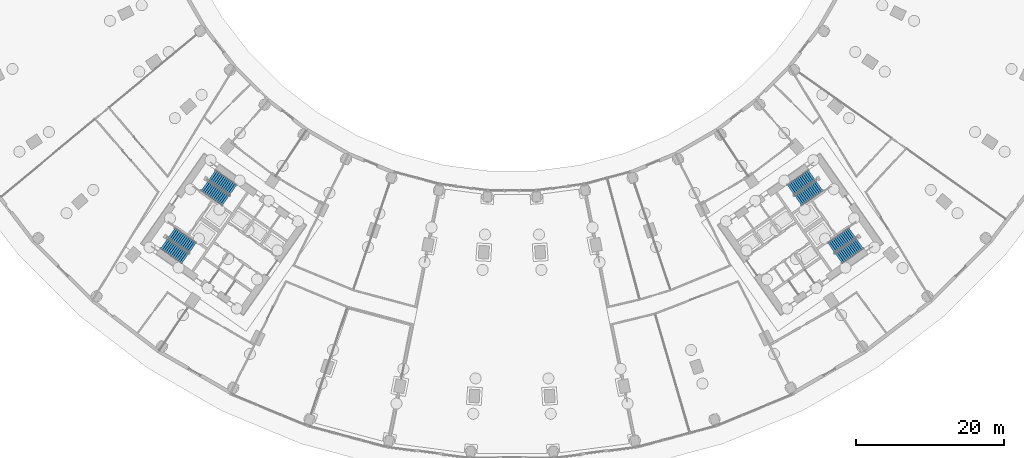
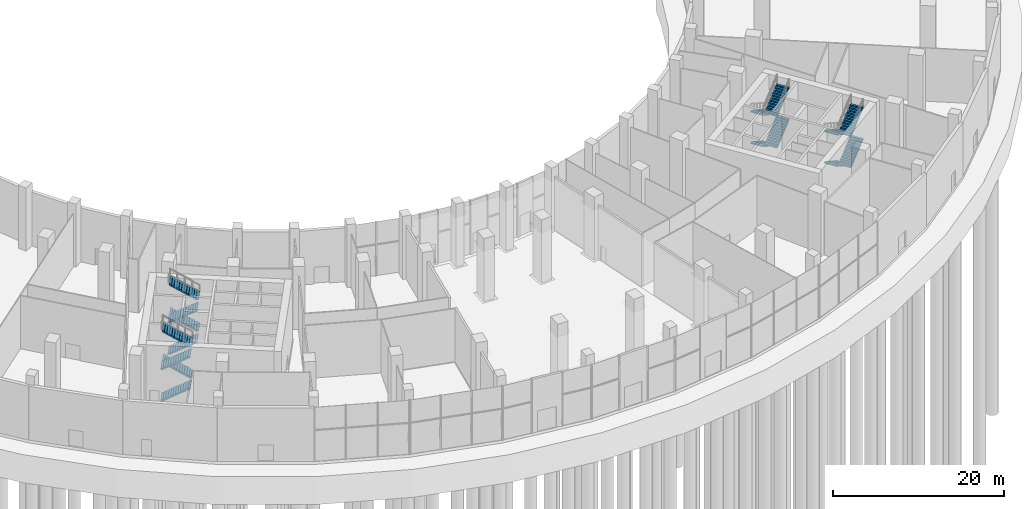
# One storey, part 13 of 23: 16 stair flights, 4 elements without a shape of their own.
"""IFC4 building model written with IfcOpenShell, lengths in metres."""

from ifc_helpers import new_model, si_unit, direction, frame, origin, place, context, subcontext, project, spatial, polyline, outline, extrude, material, type_object, element, aggregate, save


model = new_model("IFC4")

# Units and contexts
model_context = context("Model", 3, precision=1e-05, world=origin(), true_north=direction((0.0, 1.0)))
body_context = subcontext(model_context, "Body", "Model", "MODEL_VIEW")
ifc_project = project(units=[si_unit("LENGTHUNIT", "METRE"), si_unit("AREAUNIT", "SQUARE_METRE"), si_unit("VOLUMEUNIT", "CUBIC_METRE"), si_unit("PLANEANGLEUNIT", "RADIAN"), si_unit("MASSUNIT", "GRAM", prefix="KILO")], contexts=[model_context])

# Site, building, storey
site_placement = place(None, origin())
site = spatial("IfcSite", under=ifc_project, at=site_placement, CompositionType="ELEMENT")
building_placement = place(site_placement, origin())
building = spatial("IfcBuilding", under=site, at=building_placement, Name="Qamariyya Broadcast Tower", CompositionType="ELEMENT")
storey_placement = place(building_placement, origin())
storey = spatial("IfcBuildingStorey", under=building, at=storey_placement, Name="L00", CompositionType="ELEMENT", Elevation=0.0)

# Stair, stair flights
ifc_material = material(Name="Concrete C50/60", Category="concrete")
stair_type = type_object("IfcStairType", Name="Exit stair 52 risers of 173 mm", PredefinedType="HALF_TURN_STAIR", material=ifc_material)
stair_1_placement = place(storey_placement, origin())
stair_1 = element("IfcStair", 1, at=stair_1_placement, inside=storey, type_object=stair_type, Name="L00 Stair W2", PredefinedType="HALF_TURN_STAIR")
stair_flight_type = type_object("IfcStairFlightType", Name="Exit stair flight 13 risers of 173 mm", PredefinedType="STRAIGHT", material=ifc_material)
stair_flight_1_placement = place(storey_placement, frame((-41.59130859375, -49.15966796875, 0.0), z_axis=(0.0, 0.0, 1.0), x_axis=(0.819152044289, -0.573576436351, 0.0)))
stair_flight_1 = element("IfcStairFlight", 2, at=stair_flight_1_placement, type_object=stair_flight_type, Name="ST-W2 flight 1", NumberOfRisers=13, NumberOfTreads=12, PredefinedType="STRAIGHT", RiserHeight=0.173076923, TreadLength=0.29, context=body_context, shape_type="SweptSolid", body=[
    extrude(outline(polyline([(0.0, 0.0), (0.0, 0.173095703125), (0.2900390625, 0.173095703125), (0.2900390625, 0.34619140625), (0.580078125, 0.34619140625), (0.580078125, 0.519287109375), (0.8701171875, 0.519287109375), (0.8701171875, 0.6923828125), (1.159912109375, 0.6923828125), (1.159912109375, 0.865478515625), (1.449951171875, 0.865478515625), (1.449951171875, 1.03857421875), (1.739990234375, 1.03857421875), (1.739990234375, 1.21142578125), (2.030029296875, 1.21142578125), (2.030029296875, 1.384521484375), (2.320068359375, 1.384521484375), (2.320068359375, 1.5576171875), (2.610107421875, 1.5576171875), (2.610107421875, 1.730712890625), (2.89990234375, 1.730712890625), (2.89990234375, 1.90380859375), (3.18994140625, 1.90380859375), (3.18994140625, 2.076904296875), (3.47998046875, 2.076904296875), (3.47998046875, 2.25), (3.47998046875, 1.90234375), (0.29248046875, 0.0), (0.0, 0.0)])), frame((0.0, 0.824951171875, 0.0), z_axis=(0.0, -1.0, 0.0), x_axis=(1.0, 0.0, 0.0)), (0.0, 0.0, 1.0), 1.64990234375),
])
stair_flight_2_placement = place(storey_placement, frame((-37.7080078125, -49.681396484375, 2.25), z_axis=(0.0, 0.0, 1.0), x_axis=(-0.819152044289, 0.573576436351, 0.0)))
stair_flight_2 = element("IfcStairFlight", 3, at=stair_flight_2_placement, type_object=stair_flight_type, Name="ST-W2 flight 2", NumberOfRisers=13, NumberOfTreads=12, PredefinedType="STRAIGHT", RiserHeight=0.173076923, TreadLength=0.29, context=body_context, shape_type="SweptSolid", body=[
    extrude(outline(polyline([(0.0, 0.0), (0.0, 0.173095703125), (0.2900390625, 0.173095703125), (0.2900390625, 0.34619140625), (0.580078125, 0.34619140625), (0.580078125, 0.519287109375), (0.8701171875, 0.519287109375), (0.8701171875, 0.6923828125), (1.159912109375, 0.6923828125), (1.159912109375, 0.865478515625), (1.449951171875, 0.865478515625), (1.449951171875, 1.03857421875), (1.739990234375, 1.03857421875), (1.739990234375, 1.21142578125), (2.030029296875, 1.21142578125), (2.030029296875, 1.384521484375), (2.320068359375, 1.384521484375), (2.320068359375, 1.5576171875), (2.610107421875, 1.5576171875), (2.610107421875, 1.730712890625), (2.89990234375, 1.730712890625), (2.89990234375, 1.90380859375), (3.18994140625, 1.90380859375), (3.18994140625, 2.076904296875), (3.47998046875, 2.076904296875), (3.47998046875, 2.25), (3.47998046875, 1.90234375), (0.29248046875, 0.0), (0.0, 0.0)])), frame((0.0, 0.824951171875, 0.0), z_axis=(0.0, -1.0, 0.0), x_axis=(1.0, 0.0, 0.0)), (0.0, 0.0, 1.0), 1.64990234375),
])
stair_flight_3_placement = place(storey_placement, frame((-41.59130859375, -49.15966796875, 4.5), z_axis=(0.0, 0.0, 1.0), x_axis=(0.819152044289, -0.573576436351, 0.0)))
stair_flight_3 = element("IfcStairFlight", 4, at=stair_flight_3_placement, type_object=stair_flight_type, Name="ST-W2 flight 3", NumberOfRisers=13, NumberOfTreads=12, PredefinedType="STRAIGHT", RiserHeight=0.173076923, TreadLength=0.29, context=body_context, shape_type="SweptSolid", body=[
    extrude(outline(polyline([(0.0, 0.0), (0.0, 0.173095703125), (0.2900390625, 0.173095703125), (0.2900390625, 0.34619140625), (0.580078125, 0.34619140625), (0.580078125, 0.519287109375), (0.8701171875, 0.519287109375), (0.8701171875, 0.6923828125), (1.159912109375, 0.6923828125), (1.159912109375, 0.865478515625), (1.449951171875, 0.865478515625), (1.449951171875, 1.03857421875), (1.739990234375, 1.03857421875), (1.739990234375, 1.21142578125), (2.030029296875, 1.21142578125), (2.030029296875, 1.384521484375), (2.320068359375, 1.384521484375), (2.320068359375, 1.5576171875), (2.610107421875, 1.5576171875), (2.610107421875, 1.730712890625), (2.89990234375, 1.730712890625), (2.89990234375, 1.90380859375), (3.18994140625, 1.90380859375), (3.18994140625, 2.076904296875), (3.47998046875, 2.076904296875), (3.47998046875, 2.25), (3.47998046875, 1.90234375), (0.29248046875, 0.0), (0.0, 0.0)])), frame((0.0, 0.824951171875, 0.0), z_axis=(0.0, -1.0, 0.0), x_axis=(1.0, 0.0, 0.0)), (0.0, 0.0, 1.0), 1.64990234375),
])
stair_flight_4_placement = place(storey_placement, frame((-37.7080078125, -49.681396484375, 6.75), z_axis=(0.0, 0.0, 1.0), x_axis=(-0.819152044289, 0.573576436351, 0.0)))
stair_flight_4 = element("IfcStairFlight", 5, at=stair_flight_4_placement, type_object=stair_flight_type, Name="ST-W2 flight 4", NumberOfRisers=13, NumberOfTreads=12, PredefinedType="STRAIGHT", RiserHeight=0.173076923, TreadLength=0.29, context=body_context, shape_type="SweptSolid", body=[
    extrude(outline(polyline([(0.0, 0.0), (0.0, 0.173095703125), (0.2900390625, 0.173095703125), (0.2900390625, 0.34619140625), (0.580078125, 0.34619140625), (0.580078125, 0.519287109375), (0.8701171875, 0.519287109375), (0.8701171875, 0.6923828125), (1.159912109375, 0.6923828125), (1.159912109375, 0.865478515625), (1.449951171875, 0.865478515625), (1.449951171875, 1.03857421875), (1.739990234375, 1.03857421875), (1.739990234375, 1.21142578125), (2.030029296875, 1.21142578125), (2.030029296875, 1.384521484375), (2.320068359375, 1.384521484375), (2.320068359375, 1.5576171875), (2.610107421875, 1.5576171875), (2.610107421875, 1.730712890625), (2.89990234375, 1.730712890625), (2.89990234375, 1.90380859375), (3.18994140625, 1.90380859375), (3.18994140625, 2.076904296875), (3.47998046875, 2.076904296875), (3.47998046875, 2.25), (3.47998046875, 1.90234375), (0.29248046875, 0.0), (0.0, 0.0)])), frame((0.0, 0.824951171875, 0.0), z_axis=(0.0, -1.0, 0.0), x_axis=(1.0, 0.0, 0.0)), (0.0, 0.0, 1.0), 1.64990234375),
])
aggregate(stair_1, [stair_flight_1, stair_flight_2, stair_flight_3, stair_flight_4])

stair_2_placement = place(storey_placement, origin())
stair_2 = element("IfcStair", 6, at=stair_2_placement, inside=storey, type_object=stair_type, Name="L00 Stair W1", PredefinedType="HALF_TURN_STAIR")
stair_flight_5_placement = place(storey_placement, frame((-47.06884765625, -56.982666015625, 0.0), z_axis=(0.0, 0.0, 1.0), x_axis=(0.819152044289, -0.573576436351, 0.0)))
stair_flight_5 = element("IfcStairFlight", 7, at=stair_flight_5_placement, type_object=stair_flight_type, Name="ST-W1 flight 1", NumberOfRisers=13, NumberOfTreads=12, PredefinedType="STRAIGHT", RiserHeight=0.173076923, TreadLength=0.29, context=body_context, shape_type="SweptSolid", body=[
    extrude(outline(polyline([(0.0, 0.0), (0.0, 0.173095703125), (0.2900390625, 0.173095703125), (0.2900390625, 0.34619140625), (0.580078125, 0.34619140625), (0.580078125, 0.519287109375), (0.8701171875, 0.519287109375), (0.8701171875, 0.6923828125), (1.159912109375, 0.6923828125), (1.159912109375, 0.865478515625), (1.449951171875, 0.865478515625), (1.449951171875, 1.03857421875), (1.739990234375, 1.03857421875), (1.739990234375, 1.21142578125), (2.030029296875, 1.21142578125), (2.030029296875, 1.384521484375), (2.320068359375, 1.384521484375), (2.320068359375, 1.5576171875), (2.610107421875, 1.5576171875), (2.610107421875, 1.730712890625), (2.89990234375, 1.730712890625), (2.89990234375, 1.90380859375), (3.18994140625, 1.90380859375), (3.18994140625, 2.076904296875), (3.47998046875, 2.076904296875), (3.47998046875, 2.25), (3.47998046875, 1.90234375), (0.29248046875, 0.0), (0.0, 0.0)])), frame((0.0, 0.824951171875, 0.0), z_axis=(0.0, -1.0, 0.0), x_axis=(1.0, 0.0, 0.0)), (0.0, 0.0, 1.0), 1.64990234375),
])
stair_flight_6_placement = place(storey_placement, frame((-43.185791015625, -57.504150390625, 2.25), z_axis=(0.0, 0.0, 1.0), x_axis=(-0.819152044289, 0.573576436351, 0.0)))
stair_flight_6 = element("IfcStairFlight", 8, at=stair_flight_6_placement, type_object=stair_flight_type, Name="ST-W1 flight 2", NumberOfRisers=13, NumberOfTreads=12, PredefinedType="STRAIGHT", RiserHeight=0.173076923, TreadLength=0.29, context=body_context, shape_type="SweptSolid", body=[
    extrude(outline(polyline([(0.0, 0.0), (0.0, 0.173095703125), (0.2900390625, 0.173095703125), (0.2900390625, 0.34619140625), (0.580078125, 0.34619140625), (0.580078125, 0.519287109375), (0.8701171875, 0.519287109375), (0.8701171875, 0.6923828125), (1.159912109375, 0.6923828125), (1.159912109375, 0.865478515625), (1.449951171875, 0.865478515625), (1.449951171875, 1.03857421875), (1.739990234375, 1.03857421875), (1.739990234375, 1.21142578125), (2.030029296875, 1.21142578125), (2.030029296875, 1.384521484375), (2.320068359375, 1.384521484375), (2.320068359375, 1.5576171875), (2.610107421875, 1.5576171875), (2.610107421875, 1.730712890625), (2.89990234375, 1.730712890625), (2.89990234375, 1.90380859375), (3.18994140625, 1.90380859375), (3.18994140625, 2.076904296875), (3.47998046875, 2.076904296875), (3.47998046875, 2.25), (3.47998046875, 1.90234375), (0.29248046875, 0.0), (0.0, 0.0)])), frame((0.0, 0.824951171875, 0.0), z_axis=(0.0, -1.0, 0.0), x_axis=(1.0, 0.0, 0.0)), (0.0, 0.0, 1.0), 1.64990234375),
])
stair_flight_7_placement = place(storey_placement, frame((-47.06884765625, -56.982666015625, 4.5), z_axis=(0.0, 0.0, 1.0), x_axis=(0.819152044289, -0.573576436351, 0.0)))
stair_flight_7 = element("IfcStairFlight", 9, at=stair_flight_7_placement, type_object=stair_flight_type, Name="ST-W1 flight 3", NumberOfRisers=13, NumberOfTreads=12, PredefinedType="STRAIGHT", RiserHeight=0.173076923, TreadLength=0.29, context=body_context, shape_type="SweptSolid", body=[
    extrude(outline(polyline([(0.0, 0.0), (0.0, 0.173095703125), (0.2900390625, 0.173095703125), (0.2900390625, 0.34619140625), (0.580078125, 0.34619140625), (0.580078125, 0.519287109375), (0.8701171875, 0.519287109375), (0.8701171875, 0.6923828125), (1.159912109375, 0.6923828125), (1.159912109375, 0.865478515625), (1.449951171875, 0.865478515625), (1.449951171875, 1.03857421875), (1.739990234375, 1.03857421875), (1.739990234375, 1.21142578125), (2.030029296875, 1.21142578125), (2.030029296875, 1.384521484375), (2.320068359375, 1.384521484375), (2.320068359375, 1.5576171875), (2.610107421875, 1.5576171875), (2.610107421875, 1.730712890625), (2.89990234375, 1.730712890625), (2.89990234375, 1.90380859375), (3.18994140625, 1.90380859375), (3.18994140625, 2.076904296875), (3.47998046875, 2.076904296875), (3.47998046875, 2.25), (3.47998046875, 1.90234375), (0.29248046875, 0.0), (0.0, 0.0)])), frame((0.0, 0.824951171875, 0.0), z_axis=(0.0, -1.0, 0.0), x_axis=(1.0, 0.0, 0.0)), (0.0, 0.0, 1.0), 1.64990234375),
])
stair_flight_8_placement = place(storey_placement, frame((-43.185791015625, -57.504150390625, 6.75), z_axis=(0.0, 0.0, 1.0), x_axis=(-0.819152044289, 0.573576436351, 0.0)))
stair_flight_8 = element("IfcStairFlight", 10, at=stair_flight_8_placement, type_object=stair_flight_type, Name="ST-W1 flight 4", NumberOfRisers=13, NumberOfTreads=12, PredefinedType="STRAIGHT", RiserHeight=0.173076923, TreadLength=0.29, context=body_context, shape_type="SweptSolid", body=[
    extrude(outline(polyline([(0.0, 0.0), (0.0, 0.173095703125), (0.2900390625, 0.173095703125), (0.2900390625, 0.34619140625), (0.580078125, 0.34619140625), (0.580078125, 0.519287109375), (0.8701171875, 0.519287109375), (0.8701171875, 0.6923828125), (1.159912109375, 0.6923828125), (1.159912109375, 0.865478515625), (1.449951171875, 0.865478515625), (1.449951171875, 1.03857421875), (1.739990234375, 1.03857421875), (1.739990234375, 1.21142578125), (2.030029296875, 1.21142578125), (2.030029296875, 1.384521484375), (2.320068359375, 1.384521484375), (2.320068359375, 1.5576171875), (2.610107421875, 1.5576171875), (2.610107421875, 1.730712890625), (2.89990234375, 1.730712890625), (2.89990234375, 1.90380859375), (3.18994140625, 1.90380859375), (3.18994140625, 2.076904296875), (3.47998046875, 2.076904296875), (3.47998046875, 2.25), (3.47998046875, 1.90234375), (0.29248046875, 0.0), (0.0, 0.0)])), frame((0.0, 0.824951171875, 0.0), z_axis=(0.0, -1.0, 0.0), x_axis=(1.0, 0.0, 0.0)), (0.0, 0.0, 1.0), 1.64990234375),
])
aggregate(stair_2, [stair_flight_5, stair_flight_6, stair_flight_7, stair_flight_8])

stair_3_placement = place(storey_placement, origin())
stair_3 = element("IfcStair", 11, at=stair_3_placement, inside=storey, type_object=stair_type, Name="L00 Stair E2", PredefinedType="HALF_TURN_STAIR")
stair_flight_9_placement = place(storey_placement, frame((40.558837890625, -47.685302734375, 0.0), z_axis=(0.0, 0.0, 1.0), x_axis=(-0.819152044289, -0.573576436351, 0.0)))
stair_flight_9 = element("IfcStairFlight", 12, at=stair_flight_9_placement, type_object=stair_flight_type, Name="ST-E2 flight 1", NumberOfRisers=13, NumberOfTreads=12, PredefinedType="STRAIGHT", RiserHeight=0.173076923, TreadLength=0.29, context=body_context, shape_type="SweptSolid", body=[
    extrude(outline(polyline([(0.0, 0.0), (0.0, 0.173095703125), (0.2900390625, 0.173095703125), (0.2900390625, 0.34619140625), (0.580078125, 0.34619140625), (0.580078125, 0.519287109375), (0.8701171875, 0.519287109375), (0.8701171875, 0.6923828125), (1.159912109375, 0.6923828125), (1.159912109375, 0.865478515625), (1.449951171875, 0.865478515625), (1.449951171875, 1.03857421875), (1.739990234375, 1.03857421875), (1.739990234375, 1.21142578125), (2.030029296875, 1.21142578125), (2.030029296875, 1.384521484375), (2.320068359375, 1.384521484375), (2.320068359375, 1.5576171875), (2.610107421875, 1.5576171875), (2.610107421875, 1.730712890625), (2.89990234375, 1.730712890625), (2.89990234375, 1.90380859375), (3.18994140625, 1.90380859375), (3.18994140625, 2.076904296875), (3.47998046875, 2.076904296875), (3.47998046875, 2.25), (3.47998046875, 1.90234375), (0.29248046875, 0.0), (0.0, 0.0)])), frame((0.0, 0.824951171875, 0.0), z_axis=(0.0, -1.0, 0.0), x_axis=(1.0, 0.0, 0.0)), (0.0, 0.0, 1.0), 1.64990234375),
])
stair_flight_10_placement = place(storey_placement, frame((38.740478515625, -51.15576171875, 2.25), z_axis=(0.0, 0.0, 1.0), x_axis=(0.819152044289, 0.573576436351, 0.0)))
stair_flight_10 = element("IfcStairFlight", 13, at=stair_flight_10_placement, type_object=stair_flight_type, Name="ST-E2 flight 2", NumberOfRisers=13, NumberOfTreads=12, PredefinedType="STRAIGHT", RiserHeight=0.173076923, TreadLength=0.29, context=body_context, shape_type="SweptSolid", body=[
    extrude(outline(polyline([(0.0, 0.0), (0.0, 0.173095703125), (0.2900390625, 0.173095703125), (0.2900390625, 0.34619140625), (0.580078125, 0.34619140625), (0.580078125, 0.519287109375), (0.8701171875, 0.519287109375), (0.8701171875, 0.6923828125), (1.159912109375, 0.6923828125), (1.159912109375, 0.865478515625), (1.449951171875, 0.865478515625), (1.449951171875, 1.03857421875), (1.739990234375, 1.03857421875), (1.739990234375, 1.21142578125), (2.030029296875, 1.21142578125), (2.030029296875, 1.384521484375), (2.320068359375, 1.384521484375), (2.320068359375, 1.5576171875), (2.610107421875, 1.5576171875), (2.610107421875, 1.730712890625), (2.89990234375, 1.730712890625), (2.89990234375, 1.90380859375), (3.18994140625, 1.90380859375), (3.18994140625, 2.076904296875), (3.47998046875, 2.076904296875), (3.47998046875, 2.25), (3.47998046875, 1.90234375), (0.29248046875, 0.0), (0.0, 0.0)])), frame((0.0, 0.824951171875, 0.0), z_axis=(0.0, -1.0, 0.0), x_axis=(1.0, 0.0, 0.0)), (0.0, 0.0, 1.0), 1.64990234375),
])
stair_flight_11_placement = place(storey_placement, frame((40.558837890625, -47.685302734375, 4.5), z_axis=(0.0, 0.0, 1.0), x_axis=(-0.819152044289, -0.573576436351, 0.0)))
stair_flight_11 = element("IfcStairFlight", 14, at=stair_flight_11_placement, type_object=stair_flight_type, Name="ST-E2 flight 3", NumberOfRisers=13, NumberOfTreads=12, PredefinedType="STRAIGHT", RiserHeight=0.173076923, TreadLength=0.29, context=body_context, shape_type="SweptSolid", body=[
    extrude(outline(polyline([(0.0, 0.0), (0.0, 0.173095703125), (0.2900390625, 0.173095703125), (0.2900390625, 0.34619140625), (0.580078125, 0.34619140625), (0.580078125, 0.519287109375), (0.8701171875, 0.519287109375), (0.8701171875, 0.6923828125), (1.159912109375, 0.6923828125), (1.159912109375, 0.865478515625), (1.449951171875, 0.865478515625), (1.449951171875, 1.03857421875), (1.739990234375, 1.03857421875), (1.739990234375, 1.21142578125), (2.030029296875, 1.21142578125), (2.030029296875, 1.384521484375), (2.320068359375, 1.384521484375), (2.320068359375, 1.5576171875), (2.610107421875, 1.5576171875), (2.610107421875, 1.730712890625), (2.89990234375, 1.730712890625), (2.89990234375, 1.90380859375), (3.18994140625, 1.90380859375), (3.18994140625, 2.076904296875), (3.47998046875, 2.076904296875), (3.47998046875, 2.25), (3.47998046875, 1.90234375), (0.29248046875, 0.0), (0.0, 0.0)])), frame((0.0, 0.824951171875, 0.0), z_axis=(0.0, -1.0, 0.0), x_axis=(1.0, 0.0, 0.0)), (0.0, 0.0, 1.0), 1.64990234375),
])
stair_flight_12_placement = place(storey_placement, frame((38.740478515625, -51.15576171875, 6.75), z_axis=(0.0, 0.0, 1.0), x_axis=(0.819152044289, 0.573576436351, 0.0)))
stair_flight_12 = element("IfcStairFlight", 15, at=stair_flight_12_placement, type_object=stair_flight_type, Name="ST-E2 flight 4", NumberOfRisers=13, NumberOfTreads=12, PredefinedType="STRAIGHT", RiserHeight=0.173076923, TreadLength=0.29, context=body_context, shape_type="SweptSolid", body=[
    extrude(outline(polyline([(0.0, 0.0), (0.0, 0.173095703125), (0.2900390625, 0.173095703125), (0.2900390625, 0.34619140625), (0.580078125, 0.34619140625), (0.580078125, 0.519287109375), (0.8701171875, 0.519287109375), (0.8701171875, 0.6923828125), (1.159912109375, 0.6923828125), (1.159912109375, 0.865478515625), (1.449951171875, 0.865478515625), (1.449951171875, 1.03857421875), (1.739990234375, 1.03857421875), (1.739990234375, 1.21142578125), (2.030029296875, 1.21142578125), (2.030029296875, 1.384521484375), (2.320068359375, 1.384521484375), (2.320068359375, 1.5576171875), (2.610107421875, 1.5576171875), (2.610107421875, 1.730712890625), (2.89990234375, 1.730712890625), (2.89990234375, 1.90380859375), (3.18994140625, 1.90380859375), (3.18994140625, 2.076904296875), (3.47998046875, 2.076904296875), (3.47998046875, 2.25), (3.47998046875, 1.90234375), (0.29248046875, 0.0), (0.0, 0.0)])), frame((0.0, 0.824951171875, 0.0), z_axis=(0.0, -1.0, 0.0), x_axis=(1.0, 0.0, 0.0)), (0.0, 0.0, 1.0), 1.64990234375),
])
aggregate(stair_3, [stair_flight_9, stair_flight_10, stair_flight_11, stair_flight_12])

stair_4_placement = place(storey_placement, origin())
stair_4 = element("IfcStair", 16, at=stair_4_placement, inside=storey, type_object=stair_type, Name="L00 Stair E1", PredefinedType="HALF_TURN_STAIR")
stair_flight_13_placement = place(storey_placement, frame((46.036376953125, -55.508056640625, 0.0), z_axis=(0.0, 0.0, 1.0), x_axis=(-0.819152044289, -0.573576436351, 0.0)))
stair_flight_13 = element("IfcStairFlight", 17, at=stair_flight_13_placement, type_object=stair_flight_type, Name="ST-E1 flight 1", NumberOfRisers=13, NumberOfTreads=12, PredefinedType="STRAIGHT", RiserHeight=0.173076923, TreadLength=0.29, context=body_context, shape_type="SweptSolid", body=[
    extrude(outline(polyline([(0.0, 0.0), (0.0, 0.173095703125), (0.2900390625, 0.173095703125), (0.2900390625, 0.34619140625), (0.580078125, 0.34619140625), (0.580078125, 0.519287109375), (0.8701171875, 0.519287109375), (0.8701171875, 0.6923828125), (1.159912109375, 0.6923828125), (1.159912109375, 0.865478515625), (1.449951171875, 0.865478515625), (1.449951171875, 1.03857421875), (1.739990234375, 1.03857421875), (1.739990234375, 1.21142578125), (2.030029296875, 1.21142578125), (2.030029296875, 1.384521484375), (2.320068359375, 1.384521484375), (2.320068359375, 1.5576171875), (2.610107421875, 1.5576171875), (2.610107421875, 1.730712890625), (2.89990234375, 1.730712890625), (2.89990234375, 1.90380859375), (3.18994140625, 1.90380859375), (3.18994140625, 2.076904296875), (3.47998046875, 2.076904296875), (3.47998046875, 2.25), (3.47998046875, 1.90234375), (0.29248046875, 0.0), (0.0, 0.0)])), frame((0.0, 0.824951171875, 0.0), z_axis=(0.0, -1.0, 0.0), x_axis=(1.0, 0.0, 0.0)), (0.0, 0.0, 1.0), 1.64990234375),
])
stair_flight_14_placement = place(storey_placement, frame((44.21826171875, -58.978759765625, 2.25), z_axis=(0.0, 0.0, 1.0), x_axis=(0.819152044289, 0.573576436351, 0.0)))
stair_flight_14 = element("IfcStairFlight", 18, at=stair_flight_14_placement, type_object=stair_flight_type, Name="ST-E1 flight 2", NumberOfRisers=13, NumberOfTreads=12, PredefinedType="STRAIGHT", RiserHeight=0.173076923, TreadLength=0.29, context=body_context, shape_type="SweptSolid", body=[
    extrude(outline(polyline([(0.0, 0.0), (0.0, 0.173095703125), (0.2900390625, 0.173095703125), (0.2900390625, 0.34619140625), (0.580078125, 0.34619140625), (0.580078125, 0.519287109375), (0.8701171875, 0.519287109375), (0.8701171875, 0.6923828125), (1.159912109375, 0.6923828125), (1.159912109375, 0.865478515625), (1.449951171875, 0.865478515625), (1.449951171875, 1.03857421875), (1.739990234375, 1.03857421875), (1.739990234375, 1.21142578125), (2.030029296875, 1.21142578125), (2.030029296875, 1.384521484375), (2.320068359375, 1.384521484375), (2.320068359375, 1.5576171875), (2.610107421875, 1.5576171875), (2.610107421875, 1.730712890625), (2.89990234375, 1.730712890625), (2.89990234375, 1.90380859375), (3.18994140625, 1.90380859375), (3.18994140625, 2.076904296875), (3.47998046875, 2.076904296875), (3.47998046875, 2.25), (3.47998046875, 1.90234375), (0.29248046875, 0.0), (0.0, 0.0)])), frame((0.0, 0.824951171875, 0.0), z_axis=(0.0, -1.0, 0.0), x_axis=(1.0, 0.0, 0.0)), (0.0, 0.0, 1.0), 1.64990234375),
])
stair_flight_15_placement = place(storey_placement, frame((46.036376953125, -55.508056640625, 4.5), z_axis=(0.0, 0.0, 1.0), x_axis=(-0.819152044289, -0.573576436351, 0.0)))
stair_flight_15 = element("IfcStairFlight", 19, at=stair_flight_15_placement, type_object=stair_flight_type, Name="ST-E1 flight 3", NumberOfRisers=13, NumberOfTreads=12, PredefinedType="STRAIGHT", RiserHeight=0.173076923, TreadLength=0.29, context=body_context, shape_type="SweptSolid", body=[
    extrude(outline(polyline([(0.0, 0.0), (0.0, 0.173095703125), (0.2900390625, 0.173095703125), (0.2900390625, 0.34619140625), (0.580078125, 0.34619140625), (0.580078125, 0.519287109375), (0.8701171875, 0.519287109375), (0.8701171875, 0.6923828125), (1.159912109375, 0.6923828125), (1.159912109375, 0.865478515625), (1.449951171875, 0.865478515625), (1.449951171875, 1.03857421875), (1.739990234375, 1.03857421875), (1.739990234375, 1.21142578125), (2.030029296875, 1.21142578125), (2.030029296875, 1.384521484375), (2.320068359375, 1.384521484375), (2.320068359375, 1.5576171875), (2.610107421875, 1.5576171875), (2.610107421875, 1.730712890625), (2.89990234375, 1.730712890625), (2.89990234375, 1.90380859375), (3.18994140625, 1.90380859375), (3.18994140625, 2.076904296875), (3.47998046875, 2.076904296875), (3.47998046875, 2.25), (3.47998046875, 1.90234375), (0.29248046875, 0.0), (0.0, 0.0)])), frame((0.0, 0.824951171875, 0.0), z_axis=(0.0, -1.0, 0.0), x_axis=(1.0, 0.0, 0.0)), (0.0, 0.0, 1.0), 1.64990234375),
])
stair_flight_16_placement = place(storey_placement, frame((44.21826171875, -58.978759765625, 6.75), z_axis=(0.0, 0.0, 1.0), x_axis=(0.819152044289, 0.573576436351, 0.0)))
stair_flight_16 = element("IfcStairFlight", 20, at=stair_flight_16_placement, type_object=stair_flight_type, Name="ST-E1 flight 4", NumberOfRisers=13, NumberOfTreads=12, PredefinedType="STRAIGHT", RiserHeight=0.173076923, TreadLength=0.29, context=body_context, shape_type="SweptSolid", body=[
    extrude(outline(polyline([(0.0, 0.0), (0.0, 0.173095703125), (0.2900390625, 0.173095703125), (0.2900390625, 0.34619140625), (0.580078125, 0.34619140625), (0.580078125, 0.519287109375), (0.8701171875, 0.519287109375), (0.8701171875, 0.6923828125), (1.159912109375, 0.6923828125), (1.159912109375, 0.865478515625), (1.449951171875, 0.865478515625), (1.449951171875, 1.03857421875), (1.739990234375, 1.03857421875), (1.739990234375, 1.21142578125), (2.030029296875, 1.21142578125), (2.030029296875, 1.384521484375), (2.320068359375, 1.384521484375), (2.320068359375, 1.5576171875), (2.610107421875, 1.5576171875), (2.610107421875, 1.730712890625), (2.89990234375, 1.730712890625), (2.89990234375, 1.90380859375), (3.18994140625, 1.90380859375), (3.18994140625, 2.076904296875), (3.47998046875, 2.076904296875), (3.47998046875, 2.25), (3.47998046875, 1.90234375), (0.29248046875, 0.0), (0.0, 0.0)])), frame((0.0, 0.824951171875, 0.0), z_axis=(0.0, -1.0, 0.0), x_axis=(1.0, 0.0, 0.0)), (0.0, 0.0, 1.0), 1.64990234375),
])
aggregate(stair_4, [stair_flight_13, stair_flight_14, stair_flight_15, stair_flight_16])

save(model, "model.ifc")
